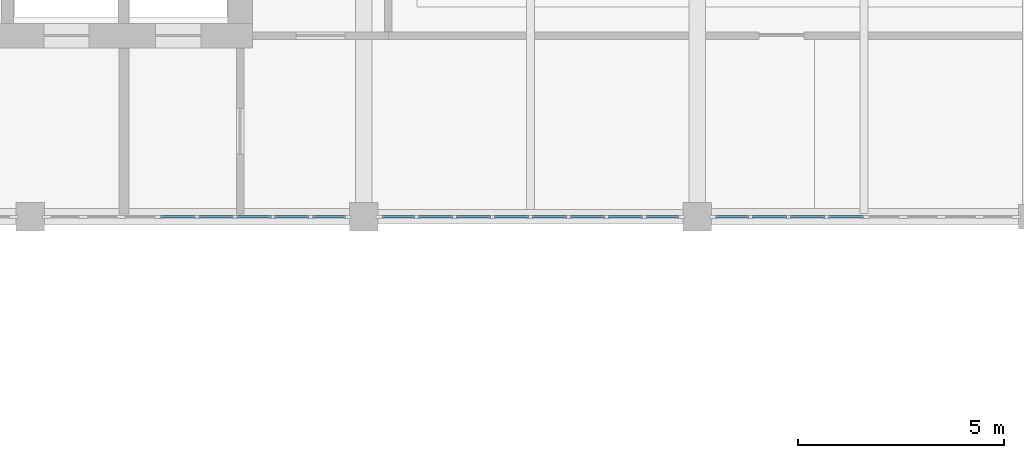
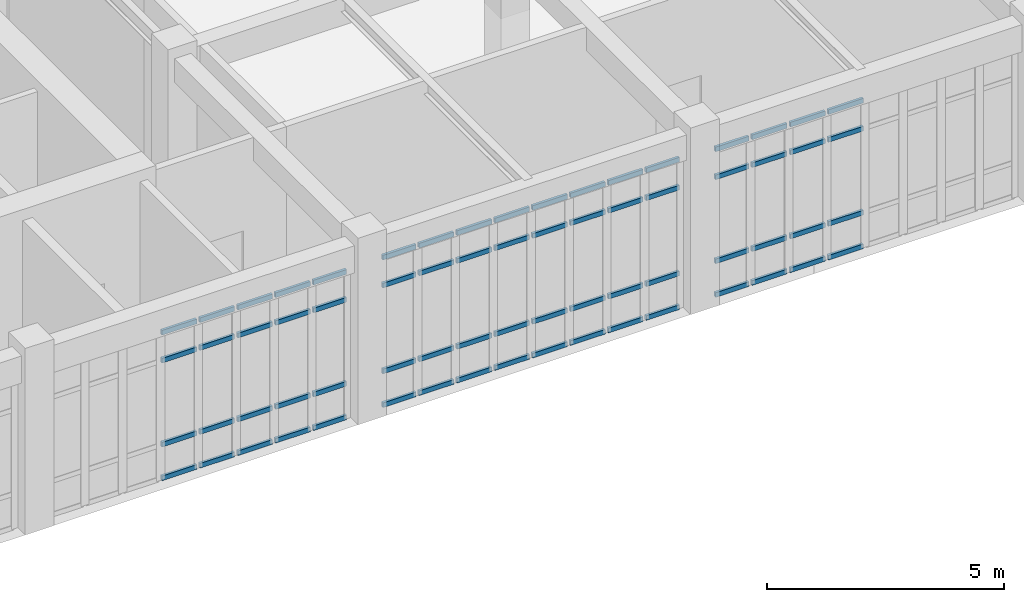
# One storey, part 25 of 61: 68 members, 3 elements without a shape of their own.
"""IFC4 building model written with IfcOpenShell, lengths in metres."""

from ifc_helpers import new_model, si_unit, direction, frame, origin, origin_2d, place, context, subcontext, project, spatial, rectangle, extrude, material, material_profile, profile_set, type_object, element, aggregate, save


model = new_model("IFC4")

# Units and contexts
model_context = context("Model", 3, precision=1e-05, world=origin(), true_north=direction((0.0, 1.0)))
body_context = subcontext(model_context, "Body", "Model", "MODEL_VIEW")
ifc_project = project(units=[si_unit("LENGTHUNIT", "METRE"), si_unit("AREAUNIT", "SQUARE_METRE"), si_unit("VOLUMEUNIT", "CUBIC_METRE"), si_unit("PLANEANGLEUNIT", "RADIAN"), si_unit("MASSUNIT", "GRAM", prefix="KILO")], contexts=[model_context])

# Site, building, storey
site_placement = place(None, origin())
site = spatial("IfcSite", under=ifc_project, at=site_placement, CompositionType="ELEMENT")
building_placement = place(site_placement, origin())
building = spatial("IfcBuilding", under=site, at=building_placement, Name="Tarnveldt Square Police Headquarters", CompositionType="ELEMENT")
storey_placement = place(building_placement, frame((0.0, 0.0, 5.39990234375)))
storey = spatial("IfcBuildingStorey", under=building, at=storey_placement, Name="L01", CompositionType="ELEMENT", Elevation=5.39990234375)

# Curtain wall, members
ifc_material_1 = material(Name="Triple-glazed low-e laminated vision glass", Category="glass")
curtain_wall_type_1 = type_object("IfcCurtainWallType", Name="CW-LB-737x381", PredefinedType="USERDEFINED", material=ifc_material_1)
curtain_wall_1_placement = place(storey_placement, origin())
curtain_wall_1 = element("IfcCurtainWall", 1, at=curtain_wall_1_placement, inside=storey, type_object=curtain_wall_type_1, Name="L01 Curtain Wall CW-L01-106", ObjectType="GLAZED CURTAIN WALL", PredefinedType="USERDEFINED")
ifc_material_2 = material(Name="Thermally broken anodised aluminium 6063-T6", Category="aluminium")
ifc_material_profile = material_profile(ifc_material_2, rectangle(XDim=0.06494140625, YDim=0.1201171875, at=origin_2d()), Name="CW-T65x120")
ifc_profile_set = profile_set([ifc_material_profile], Name="Thermally broken anodised aluminium 6063-T6")
member_type = type_object("IfcMemberType", Name="CWT-65x120", PredefinedType="USERDEFINED", material=ifc_profile_set)
member_1_placement = place(storey_placement, frame((59.8662109375, 96.0, 0.03271484375), z_axis=(1.0, 0.0, 0.0), x_axis=(0.0, 1.0, 0.0)))
member_1 = element("IfcMember", 2, at=member_1_placement, type_object=member_type, Name="CW-LB60 transom 4.1", ObjectType="TRANSOM", PredefinedType="USERDEFINED", context=body_context, shape_type="SweptSolid", body=[
    extrude(rectangle(XDim=0.06494140625, YDim=0.1201171875, at=origin_2d()), origin(), (0.0, 0.0, 1.0), 0.84619140625),
])
member_2_placement = place(storey_placement, frame((59.8662109375, 96.0, 0.900146484375), z_axis=(1.0, 0.0, 0.0), x_axis=(0.0, 1.0, 0.0)))
member_2 = element("IfcMember", 3, at=member_2_placement, type_object=member_type, Name="CW-LB60 transom 4.2", ObjectType="TRANSOM", PredefinedType="USERDEFINED", context=body_context, shape_type="SweptSolid", body=[
    extrude(rectangle(XDim=0.06494140625, YDim=0.1201171875, at=origin_2d()), origin(), (0.0, 0.0, 1.0), 0.84619140625),
])
member_3_placement = place(storey_placement, frame((59.8662109375, 96.0, 3.06201171875), z_axis=(1.0, 0.0, 0.0), x_axis=(0.0, 1.0, 0.0)))
member_3 = element("IfcMember", 4, at=member_3_placement, type_object=member_type, Name="CW-LB60 transom 4.3", ObjectType="TRANSOM", PredefinedType="USERDEFINED", context=body_context, shape_type="SweptSolid", body=[
    extrude(rectangle(XDim=0.06494140625, YDim=0.1201171875, at=origin_2d()), origin(), (0.0, 0.0, 1.0), 0.84619140625),
])
member_4_placement = place(storey_placement, frame((59.8662109375, 96.0, 3.779541015625), z_axis=(1.0, 0.0, 0.0), x_axis=(0.0, 1.0, 0.0)))
member_4 = element("IfcMember", 5, at=member_4_placement, type_object=member_type, Name="CW-LB60 transom 4.4", ObjectType="TRANSOM", PredefinedType="USERDEFINED", context=body_context, shape_type="SweptSolid", body=[
    extrude(rectangle(XDim=0.06494140625, YDim=0.1201171875, at=origin_2d()), origin(), (0.0, 0.0, 1.0), 0.84619140625),
])
member_5_placement = place(storey_placement, frame((60.78759765625, 96.0, 0.03271484375), z_axis=(1.0, 0.0, 0.0), x_axis=(0.0, 1.0, 0.0)))
member_5 = element("IfcMember", 6, at=member_5_placement, type_object=member_type, Name="CW-LB60 transom 5.1", ObjectType="TRANSOM", PredefinedType="USERDEFINED", context=body_context, shape_type="SweptSolid", body=[
    extrude(rectangle(XDim=0.06494140625, YDim=0.1201171875, at=origin_2d()), origin(), (0.0, 0.0, 1.0), 0.84619140625),
])
member_6_placement = place(storey_placement, frame((60.78759765625, 96.0, 0.900146484375), z_axis=(1.0, 0.0, 0.0), x_axis=(0.0, 1.0, 0.0)))
member_6 = element("IfcMember", 7, at=member_6_placement, type_object=member_type, Name="CW-LB60 transom 5.2", ObjectType="TRANSOM", PredefinedType="USERDEFINED", context=body_context, shape_type="SweptSolid", body=[
    extrude(rectangle(XDim=0.06494140625, YDim=0.1201171875, at=origin_2d()), origin(), (0.0, 0.0, 1.0), 0.84619140625),
])
member_7_placement = place(storey_placement, frame((60.78759765625, 96.0, 3.06201171875), z_axis=(1.0, 0.0, 0.0), x_axis=(0.0, 1.0, 0.0)))
member_7 = element("IfcMember", 8, at=member_7_placement, type_object=member_type, Name="CW-LB60 transom 5.3", ObjectType="TRANSOM", PredefinedType="USERDEFINED", context=body_context, shape_type="SweptSolid", body=[
    extrude(rectangle(XDim=0.06494140625, YDim=0.1201171875, at=origin_2d()), origin(), (0.0, 0.0, 1.0), 0.84619140625),
])
member_8_placement = place(storey_placement, frame((60.78759765625, 96.0, 3.779541015625), z_axis=(1.0, 0.0, 0.0), x_axis=(0.0, 1.0, 0.0)))
member_8 = element("IfcMember", 9, at=member_8_placement, type_object=member_type, Name="CW-LB60 transom 5.4", ObjectType="TRANSOM", PredefinedType="USERDEFINED", context=body_context, shape_type="SweptSolid", body=[
    extrude(rectangle(XDim=0.06494140625, YDim=0.1201171875, at=origin_2d()), origin(), (0.0, 0.0, 1.0), 0.84619140625),
])
member_9_placement = place(storey_placement, frame((61.708740234375, 96.0, 0.03271484375), z_axis=(1.0, 0.0, 0.0), x_axis=(0.0, 1.0, 0.0)))
member_9 = element("IfcMember", 10, at=member_9_placement, type_object=member_type, Name="CW-LB60 transom 6.1", ObjectType="TRANSOM", PredefinedType="USERDEFINED", context=body_context, shape_type="SweptSolid", body=[
    extrude(rectangle(XDim=0.06494140625, YDim=0.1201171875, at=origin_2d()), origin(), (0.0, 0.0, 1.0), 0.84619140625),
])
member_10_placement = place(storey_placement, frame((61.708740234375, 96.0, 0.900146484375), z_axis=(1.0, 0.0, 0.0), x_axis=(0.0, 1.0, 0.0)))
member_10 = element("IfcMember", 11, at=member_10_placement, type_object=member_type, Name="CW-LB60 transom 6.2", ObjectType="TRANSOM", PredefinedType="USERDEFINED", context=body_context, shape_type="SweptSolid", body=[
    extrude(rectangle(XDim=0.06494140625, YDim=0.1201171875, at=origin_2d()), origin(), (0.0, 0.0, 1.0), 0.84619140625),
])
member_11_placement = place(storey_placement, frame((61.708740234375, 96.0, 3.06201171875), z_axis=(1.0, 0.0, 0.0), x_axis=(0.0, 1.0, 0.0)))
member_11 = element("IfcMember", 12, at=member_11_placement, type_object=member_type, Name="CW-LB60 transom 6.3", ObjectType="TRANSOM", PredefinedType="USERDEFINED", context=body_context, shape_type="SweptSolid", body=[
    extrude(rectangle(XDim=0.06494140625, YDim=0.1201171875, at=origin_2d()), origin(), (0.0, 0.0, 1.0), 0.84619140625),
])
member_12_placement = place(storey_placement, frame((61.708740234375, 96.0, 3.779541015625), z_axis=(1.0, 0.0, 0.0), x_axis=(0.0, 1.0, 0.0)))
member_12 = element("IfcMember", 13, at=member_12_placement, type_object=member_type, Name="CW-LB60 transom 6.4", ObjectType="TRANSOM", PredefinedType="USERDEFINED", context=body_context, shape_type="SweptSolid", body=[
    extrude(rectangle(XDim=0.06494140625, YDim=0.1201171875, at=origin_2d()), origin(), (0.0, 0.0, 1.0), 0.84619140625),
])
member_13_placement = place(storey_placement, frame((62.6298828125, 96.0, 0.03271484375), z_axis=(1.0, 0.0, 0.0), x_axis=(0.0, 1.0, 0.0)))
member_13 = element("IfcMember", 14, at=member_13_placement, type_object=member_type, Name="CW-LB60 transom 7.1", ObjectType="TRANSOM", PredefinedType="USERDEFINED", context=body_context, shape_type="SweptSolid", body=[
    extrude(rectangle(XDim=0.06494140625, YDim=0.1201171875, at=origin_2d()), origin(), (0.0, 0.0, 1.0), 0.846435546875),
])
member_14_placement = place(storey_placement, frame((62.6298828125, 96.0, 0.900146484375), z_axis=(1.0, 0.0, 0.0), x_axis=(0.0, 1.0, 0.0)))
member_14 = element("IfcMember", 15, at=member_14_placement, type_object=member_type, Name="CW-LB60 transom 7.2", ObjectType="TRANSOM", PredefinedType="USERDEFINED", context=body_context, shape_type="SweptSolid", body=[
    extrude(rectangle(XDim=0.06494140625, YDim=0.1201171875, at=origin_2d()), origin(), (0.0, 0.0, 1.0), 0.846435546875),
])
member_15_placement = place(storey_placement, frame((62.6298828125, 96.0, 3.06201171875), z_axis=(1.0, 0.0, 0.0), x_axis=(0.0, 1.0, 0.0)))
member_15 = element("IfcMember", 16, at=member_15_placement, type_object=member_type, Name="CW-LB60 transom 7.3", ObjectType="TRANSOM", PredefinedType="USERDEFINED", context=body_context, shape_type="SweptSolid", body=[
    extrude(rectangle(XDim=0.06494140625, YDim=0.1201171875, at=origin_2d()), origin(), (0.0, 0.0, 1.0), 0.846435546875),
])
member_16_placement = place(storey_placement, frame((62.6298828125, 96.0, 3.779541015625), z_axis=(1.0, 0.0, 0.0), x_axis=(0.0, 1.0, 0.0)))
member_16 = element("IfcMember", 17, at=member_16_placement, type_object=member_type, Name="CW-LB60 transom 7.4", ObjectType="TRANSOM", PredefinedType="USERDEFINED", context=body_context, shape_type="SweptSolid", body=[
    extrude(rectangle(XDim=0.06494140625, YDim=0.1201171875, at=origin_2d()), origin(), (0.0, 0.0, 1.0), 0.846435546875),
])
member_17_placement = place(storey_placement, frame((63.55126953125, 96.0, 0.03271484375), z_axis=(1.0, 0.0, 0.0), x_axis=(0.0, 1.0, 0.0)))
member_17 = element("IfcMember", 18, at=member_17_placement, type_object=member_type, Name="CW-LB60 transom 8.1", ObjectType="TRANSOM", PredefinedType="USERDEFINED", context=body_context, shape_type="SweptSolid", body=[
    extrude(rectangle(XDim=0.06494140625, YDim=0.1201171875, at=origin_2d()), origin(), (0.0, 0.0, 1.0), 0.808837890625),
])
member_18_placement = place(storey_placement, frame((63.55126953125, 96.0, 0.900146484375), z_axis=(1.0, 0.0, 0.0), x_axis=(0.0, 1.0, 0.0)))
member_18 = element("IfcMember", 19, at=member_18_placement, type_object=member_type, Name="CW-LB60 transom 8.2", ObjectType="TRANSOM", PredefinedType="USERDEFINED", context=body_context, shape_type="SweptSolid", body=[
    extrude(rectangle(XDim=0.06494140625, YDim=0.1201171875, at=origin_2d()), origin(), (0.0, 0.0, 1.0), 0.808837890625),
])
member_19_placement = place(storey_placement, frame((63.55126953125, 96.0, 3.06201171875), z_axis=(1.0, 0.0, 0.0), x_axis=(0.0, 1.0, 0.0)))
member_19 = element("IfcMember", 20, at=member_19_placement, type_object=member_type, Name="CW-LB60 transom 8.3", ObjectType="TRANSOM", PredefinedType="USERDEFINED", context=body_context, shape_type="SweptSolid", body=[
    extrude(rectangle(XDim=0.06494140625, YDim=0.1201171875, at=origin_2d()), origin(), (0.0, 0.0, 1.0), 0.808837890625),
])
member_20_placement = place(storey_placement, frame((63.55126953125, 96.0, 3.779541015625), z_axis=(1.0, 0.0, 0.0), x_axis=(0.0, 1.0, 0.0)))
member_20 = element("IfcMember", 21, at=member_20_placement, type_object=member_type, Name="CW-LB60 transom 8.4", ObjectType="TRANSOM", PredefinedType="USERDEFINED", context=body_context, shape_type="SweptSolid", body=[
    extrude(rectangle(XDim=0.06494140625, YDim=0.1201171875, at=origin_2d()), origin(), (0.0, 0.0, 1.0), 0.808837890625),
])
aggregate(curtain_wall_1, [member_1, member_2, member_3, member_4, member_5, member_6, member_7, member_8, member_9, member_10, member_11, member_12, member_13, member_14, member_15, member_16, member_17, member_18, member_19, member_20])

curtain_wall_type_2 = type_object("IfcCurtainWallType", Name="CW-LB-737x386", PredefinedType="USERDEFINED", material=ifc_material_1)
curtain_wall_2_placement = place(storey_placement, origin())
curtain_wall_2 = element("IfcCurtainWall", 22, at=curtain_wall_2_placement, inside=storey, type_object=curtain_wall_type_2, Name="L01 Curtain Wall CW-L01-107", ObjectType="GLAZED CURTAIN WALL", PredefinedType="USERDEFINED")
member_21_placement = place(storey_placement, frame((65.239990234375, 96.0, 0.03271484375), z_axis=(1.0, 0.0, 0.0), x_axis=(0.0, 1.0, 0.0)))
member_21 = element("IfcMember", 23, at=member_21_placement, type_object=member_type, Name="CW-LB61 transom 1.1", ObjectType="TRANSOM", PredefinedType="USERDEFINED", context=body_context, shape_type="SweptSolid", body=[
    extrude(rectangle(XDim=0.06494140625, YDim=0.1201171875, at=origin_2d()), origin(), (0.0, 0.0, 1.0), 0.808837890625),
])
member_22_placement = place(storey_placement, frame((65.239990234375, 96.0, 0.900146484375), z_axis=(1.0, 0.0, 0.0), x_axis=(0.0, 1.0, 0.0)))
member_22 = element("IfcMember", 24, at=member_22_placement, type_object=member_type, Name="CW-LB61 transom 1.2", ObjectType="TRANSOM", PredefinedType="USERDEFINED", context=body_context, shape_type="SweptSolid", body=[
    extrude(rectangle(XDim=0.06494140625, YDim=0.1201171875, at=origin_2d()), origin(), (0.0, 0.0, 1.0), 0.808837890625),
])
member_23_placement = place(storey_placement, frame((65.239990234375, 96.0, 3.112060546875), z_axis=(1.0, 0.0, 0.0), x_axis=(0.0, 1.0, 0.0)))
member_23 = element("IfcMember", 25, at=member_23_placement, type_object=member_type, Name="CW-LB61 transom 1.3", ObjectType="TRANSOM", PredefinedType="USERDEFINED", context=body_context, shape_type="SweptSolid", body=[
    extrude(rectangle(XDim=0.06494140625, YDim=0.1201171875, at=origin_2d()), origin(), (0.0, 0.0, 1.0), 0.808837890625),
])
member_24_placement = place(storey_placement, frame((65.239990234375, 96.0, 3.82958984375), z_axis=(1.0, 0.0, 0.0), x_axis=(0.0, 1.0, 0.0)))
member_24 = element("IfcMember", 26, at=member_24_placement, type_object=member_type, Name="CW-LB61 transom 1.4", ObjectType="TRANSOM", PredefinedType="USERDEFINED", context=body_context, shape_type="SweptSolid", body=[
    extrude(rectangle(XDim=0.06494140625, YDim=0.1201171875, at=origin_2d()), origin(), (0.0, 0.0, 1.0), 0.808837890625),
])
member_25_placement = place(storey_placement, frame((66.123779296875, 96.0, 0.03271484375), z_axis=(1.0, 0.0, 0.0), x_axis=(0.0, 1.0, 0.0)))
member_25 = element("IfcMember", 27, at=member_25_placement, type_object=member_type, Name="CW-LB61 transom 2.1", ObjectType="TRANSOM", PredefinedType="USERDEFINED", context=body_context, shape_type="SweptSolid", body=[
    extrude(rectangle(XDim=0.06494140625, YDim=0.1201171875, at=origin_2d()), origin(), (0.0, 0.0, 1.0), 0.84619140625),
])
member_26_placement = place(storey_placement, frame((66.123779296875, 96.0, 0.900146484375), z_axis=(1.0, 0.0, 0.0), x_axis=(0.0, 1.0, 0.0)))
member_26 = element("IfcMember", 28, at=member_26_placement, type_object=member_type, Name="CW-LB61 transom 2.2", ObjectType="TRANSOM", PredefinedType="USERDEFINED", context=body_context, shape_type="SweptSolid", body=[
    extrude(rectangle(XDim=0.06494140625, YDim=0.1201171875, at=origin_2d()), origin(), (0.0, 0.0, 1.0), 0.84619140625),
])
member_27_placement = place(storey_placement, frame((66.123779296875, 96.0, 3.112060546875), z_axis=(1.0, 0.0, 0.0), x_axis=(0.0, 1.0, 0.0)))
member_27 = element("IfcMember", 29, at=member_27_placement, type_object=member_type, Name="CW-LB61 transom 2.3", ObjectType="TRANSOM", PredefinedType="USERDEFINED", context=body_context, shape_type="SweptSolid", body=[
    extrude(rectangle(XDim=0.06494140625, YDim=0.1201171875, at=origin_2d()), origin(), (0.0, 0.0, 1.0), 0.84619140625),
])
member_28_placement = place(storey_placement, frame((66.123779296875, 96.0, 3.82958984375), z_axis=(1.0, 0.0, 0.0), x_axis=(0.0, 1.0, 0.0)))
member_28 = element("IfcMember", 30, at=member_28_placement, type_object=member_type, Name="CW-LB61 transom 2.4", ObjectType="TRANSOM", PredefinedType="USERDEFINED", context=body_context, shape_type="SweptSolid", body=[
    extrude(rectangle(XDim=0.06494140625, YDim=0.1201171875, at=origin_2d()), origin(), (0.0, 0.0, 1.0), 0.84619140625),
])
member_29_placement = place(storey_placement, frame((67.044921875, 96.0, 0.03271484375), z_axis=(1.0, 0.0, 0.0), x_axis=(0.0, 1.0, 0.0)))
member_29 = element("IfcMember", 31, at=member_29_placement, type_object=member_type, Name="CW-LB61 transom 3.1", ObjectType="TRANSOM", PredefinedType="USERDEFINED", context=body_context, shape_type="SweptSolid", body=[
    extrude(rectangle(XDim=0.06494140625, YDim=0.1201171875, at=origin_2d()), origin(), (0.0, 0.0, 1.0), 0.846435546875),
])
member_30_placement = place(storey_placement, frame((67.044921875, 96.0, 0.900146484375), z_axis=(1.0, 0.0, 0.0), x_axis=(0.0, 1.0, 0.0)))
member_30 = element("IfcMember", 32, at=member_30_placement, type_object=member_type, Name="CW-LB61 transom 3.2", ObjectType="TRANSOM", PredefinedType="USERDEFINED", context=body_context, shape_type="SweptSolid", body=[
    extrude(rectangle(XDim=0.06494140625, YDim=0.1201171875, at=origin_2d()), origin(), (0.0, 0.0, 1.0), 0.846435546875),
])
member_31_placement = place(storey_placement, frame((67.044921875, 96.0, 3.112060546875), z_axis=(1.0, 0.0, 0.0), x_axis=(0.0, 1.0, 0.0)))
member_31 = element("IfcMember", 33, at=member_31_placement, type_object=member_type, Name="CW-LB61 transom 3.3", ObjectType="TRANSOM", PredefinedType="USERDEFINED", context=body_context, shape_type="SweptSolid", body=[
    extrude(rectangle(XDim=0.06494140625, YDim=0.1201171875, at=origin_2d()), origin(), (0.0, 0.0, 1.0), 0.846435546875),
])
member_32_placement = place(storey_placement, frame((67.044921875, 96.0, 3.82958984375), z_axis=(1.0, 0.0, 0.0), x_axis=(0.0, 1.0, 0.0)))
member_32 = element("IfcMember", 34, at=member_32_placement, type_object=member_type, Name="CW-LB61 transom 3.4", ObjectType="TRANSOM", PredefinedType="USERDEFINED", context=body_context, shape_type="SweptSolid", body=[
    extrude(rectangle(XDim=0.06494140625, YDim=0.1201171875, at=origin_2d()), origin(), (0.0, 0.0, 1.0), 0.846435546875),
])
member_33_placement = place(storey_placement, frame((67.96630859375, 96.0, 0.03271484375), z_axis=(1.0, 0.0, 0.0), x_axis=(0.0, 1.0, 0.0)))
member_33 = element("IfcMember", 35, at=member_33_placement, type_object=member_type, Name="CW-LB61 transom 4.1", ObjectType="TRANSOM", PredefinedType="USERDEFINED", context=body_context, shape_type="SweptSolid", body=[
    extrude(rectangle(XDim=0.06494140625, YDim=0.1201171875, at=origin_2d()), origin(), (0.0, 0.0, 1.0), 0.84619140625),
])
member_34_placement = place(storey_placement, frame((67.96630859375, 96.0, 0.900146484375), z_axis=(1.0, 0.0, 0.0), x_axis=(0.0, 1.0, 0.0)))
member_34 = element("IfcMember", 36, at=member_34_placement, type_object=member_type, Name="CW-LB61 transom 4.2", ObjectType="TRANSOM", PredefinedType="USERDEFINED", context=body_context, shape_type="SweptSolid", body=[
    extrude(rectangle(XDim=0.06494140625, YDim=0.1201171875, at=origin_2d()), origin(), (0.0, 0.0, 1.0), 0.84619140625),
])
member_35_placement = place(storey_placement, frame((67.96630859375, 96.0, 3.112060546875), z_axis=(1.0, 0.0, 0.0), x_axis=(0.0, 1.0, 0.0)))
member_35 = element("IfcMember", 37, at=member_35_placement, type_object=member_type, Name="CW-LB61 transom 4.3", ObjectType="TRANSOM", PredefinedType="USERDEFINED", context=body_context, shape_type="SweptSolid", body=[
    extrude(rectangle(XDim=0.06494140625, YDim=0.1201171875, at=origin_2d()), origin(), (0.0, 0.0, 1.0), 0.84619140625),
])
member_36_placement = place(storey_placement, frame((67.96630859375, 96.0, 3.82958984375), z_axis=(1.0, 0.0, 0.0), x_axis=(0.0, 1.0, 0.0)))
member_36 = element("IfcMember", 38, at=member_36_placement, type_object=member_type, Name="CW-LB61 transom 4.4", ObjectType="TRANSOM", PredefinedType="USERDEFINED", context=body_context, shape_type="SweptSolid", body=[
    extrude(rectangle(XDim=0.06494140625, YDim=0.1201171875, at=origin_2d()), origin(), (0.0, 0.0, 1.0), 0.84619140625),
])
member_37_placement = place(storey_placement, frame((68.887451171875, 96.0, 0.03271484375), z_axis=(1.0, 0.0, 0.0), x_axis=(0.0, 1.0, 0.0)))
member_37 = element("IfcMember", 39, at=member_37_placement, type_object=member_type, Name="CW-LB61 transom 5.1", ObjectType="TRANSOM", PredefinedType="USERDEFINED", context=body_context, shape_type="SweptSolid", body=[
    extrude(rectangle(XDim=0.06494140625, YDim=0.1201171875, at=origin_2d()), origin(), (0.0, 0.0, 1.0), 0.84619140625),
])
member_38_placement = place(storey_placement, frame((68.887451171875, 96.0, 0.900146484375), z_axis=(1.0, 0.0, 0.0), x_axis=(0.0, 1.0, 0.0)))
member_38 = element("IfcMember", 40, at=member_38_placement, type_object=member_type, Name="CW-LB61 transom 5.2", ObjectType="TRANSOM", PredefinedType="USERDEFINED", context=body_context, shape_type="SweptSolid", body=[
    extrude(rectangle(XDim=0.06494140625, YDim=0.1201171875, at=origin_2d()), origin(), (0.0, 0.0, 1.0), 0.84619140625),
])
member_39_placement = place(storey_placement, frame((68.887451171875, 96.0, 3.112060546875), z_axis=(1.0, 0.0, 0.0), x_axis=(0.0, 1.0, 0.0)))
member_39 = element("IfcMember", 41, at=member_39_placement, type_object=member_type, Name="CW-LB61 transom 5.3", ObjectType="TRANSOM", PredefinedType="USERDEFINED", context=body_context, shape_type="SweptSolid", body=[
    extrude(rectangle(XDim=0.06494140625, YDim=0.1201171875, at=origin_2d()), origin(), (0.0, 0.0, 1.0), 0.84619140625),
])
member_40_placement = place(storey_placement, frame((68.887451171875, 96.0, 3.82958984375), z_axis=(1.0, 0.0, 0.0), x_axis=(0.0, 1.0, 0.0)))
member_40 = element("IfcMember", 42, at=member_40_placement, type_object=member_type, Name="CW-LB61 transom 5.4", ObjectType="TRANSOM", PredefinedType="USERDEFINED", context=body_context, shape_type="SweptSolid", body=[
    extrude(rectangle(XDim=0.06494140625, YDim=0.1201171875, at=origin_2d()), origin(), (0.0, 0.0, 1.0), 0.84619140625),
])
member_41_placement = place(storey_placement, frame((69.808837890625, 96.0, 0.03271484375), z_axis=(1.0, 0.0, 0.0), x_axis=(0.0, 1.0, 0.0)))
member_41 = element("IfcMember", 43, at=member_41_placement, type_object=member_type, Name="CW-LB61 transom 6.1", ObjectType="TRANSOM", PredefinedType="USERDEFINED", context=body_context, shape_type="SweptSolid", body=[
    extrude(rectangle(XDim=0.06494140625, YDim=0.1201171875, at=origin_2d()), origin(), (0.0, 0.0, 1.0), 0.84619140625),
])
member_42_placement = place(storey_placement, frame((69.808837890625, 96.0, 0.900146484375), z_axis=(1.0, 0.0, 0.0), x_axis=(0.0, 1.0, 0.0)))
member_42 = element("IfcMember", 44, at=member_42_placement, type_object=member_type, Name="CW-LB61 transom 6.2", ObjectType="TRANSOM", PredefinedType="USERDEFINED", context=body_context, shape_type="SweptSolid", body=[
    extrude(rectangle(XDim=0.06494140625, YDim=0.1201171875, at=origin_2d()), origin(), (0.0, 0.0, 1.0), 0.84619140625),
])
member_43_placement = place(storey_placement, frame((69.808837890625, 96.0, 3.112060546875), z_axis=(1.0, 0.0, 0.0), x_axis=(0.0, 1.0, 0.0)))
member_43 = element("IfcMember", 45, at=member_43_placement, type_object=member_type, Name="CW-LB61 transom 6.3", ObjectType="TRANSOM", PredefinedType="USERDEFINED", context=body_context, shape_type="SweptSolid", body=[
    extrude(rectangle(XDim=0.06494140625, YDim=0.1201171875, at=origin_2d()), origin(), (0.0, 0.0, 1.0), 0.84619140625),
])
member_44_placement = place(storey_placement, frame((69.808837890625, 96.0, 3.82958984375), z_axis=(1.0, 0.0, 0.0), x_axis=(0.0, 1.0, 0.0)))
member_44 = element("IfcMember", 46, at=member_44_placement, type_object=member_type, Name="CW-LB61 transom 6.4", ObjectType="TRANSOM", PredefinedType="USERDEFINED", context=body_context, shape_type="SweptSolid", body=[
    extrude(rectangle(XDim=0.06494140625, YDim=0.1201171875, at=origin_2d()), origin(), (0.0, 0.0, 1.0), 0.84619140625),
])
member_45_placement = place(storey_placement, frame((70.72998046875, 96.0, 0.03271484375), z_axis=(1.0, 0.0, 0.0), x_axis=(0.0, 1.0, 0.0)))
member_45 = element("IfcMember", 47, at=member_45_placement, type_object=member_type, Name="CW-LB61 transom 7.1", ObjectType="TRANSOM", PredefinedType="USERDEFINED", context=body_context, shape_type="SweptSolid", body=[
    extrude(rectangle(XDim=0.06494140625, YDim=0.1201171875, at=origin_2d()), origin(), (0.0, 0.0, 1.0), 0.84619140625),
])
member_46_placement = place(storey_placement, frame((70.72998046875, 96.0, 0.900146484375), z_axis=(1.0, 0.0, 0.0), x_axis=(0.0, 1.0, 0.0)))
member_46 = element("IfcMember", 48, at=member_46_placement, type_object=member_type, Name="CW-LB61 transom 7.2", ObjectType="TRANSOM", PredefinedType="USERDEFINED", context=body_context, shape_type="SweptSolid", body=[
    extrude(rectangle(XDim=0.06494140625, YDim=0.1201171875, at=origin_2d()), origin(), (0.0, 0.0, 1.0), 0.84619140625),
])
member_47_placement = place(storey_placement, frame((70.72998046875, 96.0, 3.112060546875), z_axis=(1.0, 0.0, 0.0), x_axis=(0.0, 1.0, 0.0)))
member_47 = element("IfcMember", 49, at=member_47_placement, type_object=member_type, Name="CW-LB61 transom 7.3", ObjectType="TRANSOM", PredefinedType="USERDEFINED", context=body_context, shape_type="SweptSolid", body=[
    extrude(rectangle(XDim=0.06494140625, YDim=0.1201171875, at=origin_2d()), origin(), (0.0, 0.0, 1.0), 0.84619140625),
])
member_48_placement = place(storey_placement, frame((70.72998046875, 96.0, 3.82958984375), z_axis=(1.0, 0.0, 0.0), x_axis=(0.0, 1.0, 0.0)))
member_48 = element("IfcMember", 50, at=member_48_placement, type_object=member_type, Name="CW-LB61 transom 7.4", ObjectType="TRANSOM", PredefinedType="USERDEFINED", context=body_context, shape_type="SweptSolid", body=[
    extrude(rectangle(XDim=0.06494140625, YDim=0.1201171875, at=origin_2d()), origin(), (0.0, 0.0, 1.0), 0.84619140625),
])
member_49_placement = place(storey_placement, frame((71.6513671875, 96.0, 0.03271484375), z_axis=(1.0, 0.0, 0.0), x_axis=(0.0, 1.0, 0.0)))
member_49 = element("IfcMember", 51, at=member_49_placement, type_object=member_type, Name="CW-LB61 transom 8.1", ObjectType="TRANSOM", PredefinedType="USERDEFINED", context=body_context, shape_type="SweptSolid", body=[
    extrude(rectangle(XDim=0.06494140625, YDim=0.1201171875, at=origin_2d()), origin(), (0.0, 0.0, 1.0), 0.80859375),
])
member_50_placement = place(storey_placement, frame((71.6513671875, 96.0, 0.900146484375), z_axis=(1.0, 0.0, 0.0), x_axis=(0.0, 1.0, 0.0)))
member_50 = element("IfcMember", 52, at=member_50_placement, type_object=member_type, Name="CW-LB61 transom 8.2", ObjectType="TRANSOM", PredefinedType="USERDEFINED", context=body_context, shape_type="SweptSolid", body=[
    extrude(rectangle(XDim=0.06494140625, YDim=0.1201171875, at=origin_2d()), origin(), (0.0, 0.0, 1.0), 0.80859375),
])
member_51_placement = place(storey_placement, frame((71.6513671875, 96.0, 3.112060546875), z_axis=(1.0, 0.0, 0.0), x_axis=(0.0, 1.0, 0.0)))
member_51 = element("IfcMember", 53, at=member_51_placement, type_object=member_type, Name="CW-LB61 transom 8.3", ObjectType="TRANSOM", PredefinedType="USERDEFINED", context=body_context, shape_type="SweptSolid", body=[
    extrude(rectangle(XDim=0.06494140625, YDim=0.1201171875, at=origin_2d()), origin(), (0.0, 0.0, 1.0), 0.80859375),
])
member_52_placement = place(storey_placement, frame((71.6513671875, 96.0, 3.82958984375), z_axis=(1.0, 0.0, 0.0), x_axis=(0.0, 1.0, 0.0)))
member_52 = element("IfcMember", 54, at=member_52_placement, type_object=member_type, Name="CW-LB61 transom 8.4", ObjectType="TRANSOM", PredefinedType="USERDEFINED", context=body_context, shape_type="SweptSolid", body=[
    extrude(rectangle(XDim=0.06494140625, YDim=0.1201171875, at=origin_2d()), origin(), (0.0, 0.0, 1.0), 0.80859375),
])
aggregate(curtain_wall_2, [member_21, member_22, member_23, member_24, member_25, member_26, member_27, member_28, member_29, member_30, member_31, member_32, member_33, member_34, member_35, member_36, member_37, member_38, member_39, member_40, member_41, member_42, member_43, member_44, member_45, member_46, member_47, member_48, member_49, member_50, member_51, member_52])

curtain_wall_type_3 = type_object("IfcCurtainWallType", Name="CW-LB-742x381", PredefinedType="USERDEFINED", material=ifc_material_1)
curtain_wall_3_placement = place(storey_placement, origin())
curtain_wall_3 = element("IfcCurtainWall", 55, at=curtain_wall_3_placement, inside=storey, type_object=curtain_wall_type_3, Name="L01 Curtain Wall CW-L01-108", ObjectType="GLAZED CURTAIN WALL", PredefinedType="USERDEFINED")
member_53_placement = place(storey_placement, frame((73.340087890625, 96.0, 0.03271484375), z_axis=(1.0, 0.0, 0.0), x_axis=(0.0, 1.0, 0.0)))
member_53 = element("IfcMember", 56, at=member_53_placement, type_object=member_type, Name="CW-LB62 transom 1.1", ObjectType="TRANSOM", PredefinedType="USERDEFINED", context=body_context, shape_type="SweptSolid", body=[
    extrude(rectangle(XDim=0.06494140625, YDim=0.1201171875, at=origin_2d()), origin(), (0.0, 0.0, 1.0), 0.81494140625),
])
member_54_placement = place(storey_placement, frame((73.340087890625, 96.0, 0.900146484375), z_axis=(1.0, 0.0, 0.0), x_axis=(0.0, 1.0, 0.0)))
member_54 = element("IfcMember", 57, at=member_54_placement, type_object=member_type, Name="CW-LB62 transom 1.2", ObjectType="TRANSOM", PredefinedType="USERDEFINED", context=body_context, shape_type="SweptSolid", body=[
    extrude(rectangle(XDim=0.06494140625, YDim=0.1201171875, at=origin_2d()), origin(), (0.0, 0.0, 1.0), 0.81494140625),
])
member_55_placement = place(storey_placement, frame((73.340087890625, 96.0, 3.06201171875), z_axis=(1.0, 0.0, 0.0), x_axis=(0.0, 1.0, 0.0)))
member_55 = element("IfcMember", 58, at=member_55_placement, type_object=member_type, Name="CW-LB62 transom 1.3", ObjectType="TRANSOM", PredefinedType="USERDEFINED", context=body_context, shape_type="SweptSolid", body=[
    extrude(rectangle(XDim=0.06494140625, YDim=0.1201171875, at=origin_2d()), origin(), (0.0, 0.0, 1.0), 0.81494140625),
])
member_56_placement = place(storey_placement, frame((73.340087890625, 96.0, 3.779541015625), z_axis=(1.0, 0.0, 0.0), x_axis=(0.0, 1.0, 0.0)))
member_56 = element("IfcMember", 59, at=member_56_placement, type_object=member_type, Name="CW-LB62 transom 1.4", ObjectType="TRANSOM", PredefinedType="USERDEFINED", context=body_context, shape_type="SweptSolid", body=[
    extrude(rectangle(XDim=0.06494140625, YDim=0.1201171875, at=origin_2d()), origin(), (0.0, 0.0, 1.0), 0.81494140625),
])
member_57_placement = place(storey_placement, frame((74.22998046875, 96.0, 0.03271484375), z_axis=(1.0, 0.0, 0.0), x_axis=(0.0, 1.0, 0.0)))
member_57 = element("IfcMember", 60, at=member_57_placement, type_object=member_type, Name="CW-LB62 transom 2.1", ObjectType="TRANSOM", PredefinedType="USERDEFINED", context=body_context, shape_type="SweptSolid", body=[
    extrude(rectangle(XDim=0.06494140625, YDim=0.1201171875, at=origin_2d()), origin(), (0.0, 0.0, 1.0), 0.8525390625),
])
member_58_placement = place(storey_placement, frame((74.22998046875, 96.0, 0.900146484375), z_axis=(1.0, 0.0, 0.0), x_axis=(0.0, 1.0, 0.0)))
member_58 = element("IfcMember", 61, at=member_58_placement, type_object=member_type, Name="CW-LB62 transom 2.2", ObjectType="TRANSOM", PredefinedType="USERDEFINED", context=body_context, shape_type="SweptSolid", body=[
    extrude(rectangle(XDim=0.06494140625, YDim=0.1201171875, at=origin_2d()), origin(), (0.0, 0.0, 1.0), 0.8525390625),
])
member_59_placement = place(storey_placement, frame((74.22998046875, 96.0, 3.06201171875), z_axis=(1.0, 0.0, 0.0), x_axis=(0.0, 1.0, 0.0)))
member_59 = element("IfcMember", 62, at=member_59_placement, type_object=member_type, Name="CW-LB62 transom 2.3", ObjectType="TRANSOM", PredefinedType="USERDEFINED", context=body_context, shape_type="SweptSolid", body=[
    extrude(rectangle(XDim=0.06494140625, YDim=0.1201171875, at=origin_2d()), origin(), (0.0, 0.0, 1.0), 0.8525390625),
])
member_60_placement = place(storey_placement, frame((74.22998046875, 96.0, 3.779541015625), z_axis=(1.0, 0.0, 0.0), x_axis=(0.0, 1.0, 0.0)))
member_60 = element("IfcMember", 63, at=member_60_placement, type_object=member_type, Name="CW-LB62 transom 2.4", ObjectType="TRANSOM", PredefinedType="USERDEFINED", context=body_context, shape_type="SweptSolid", body=[
    extrude(rectangle(XDim=0.06494140625, YDim=0.1201171875, at=origin_2d()), origin(), (0.0, 0.0, 1.0), 0.8525390625),
])
member_61_placement = place(storey_placement, frame((75.157470703125, 96.0, 0.03271484375), z_axis=(1.0, 0.0, 0.0), x_axis=(0.0, 1.0, 0.0)))
member_61 = element("IfcMember", 64, at=member_61_placement, type_object=member_type, Name="CW-LB62 transom 3.1", ObjectType="TRANSOM", PredefinedType="USERDEFINED", context=body_context, shape_type="SweptSolid", body=[
    extrude(rectangle(XDim=0.06494140625, YDim=0.1201171875, at=origin_2d()), origin(), (0.0, 0.0, 1.0), 0.8525390625),
])
member_62_placement = place(storey_placement, frame((75.157470703125, 96.0, 0.900146484375), z_axis=(1.0, 0.0, 0.0), x_axis=(0.0, 1.0, 0.0)))
member_62 = element("IfcMember", 65, at=member_62_placement, type_object=member_type, Name="CW-LB62 transom 3.2", ObjectType="TRANSOM", PredefinedType="USERDEFINED", context=body_context, shape_type="SweptSolid", body=[
    extrude(rectangle(XDim=0.06494140625, YDim=0.1201171875, at=origin_2d()), origin(), (0.0, 0.0, 1.0), 0.8525390625),
])
member_63_placement = place(storey_placement, frame((75.157470703125, 96.0, 3.06201171875), z_axis=(1.0, 0.0, 0.0), x_axis=(0.0, 1.0, 0.0)))
member_63 = element("IfcMember", 66, at=member_63_placement, type_object=member_type, Name="CW-LB62 transom 3.3", ObjectType="TRANSOM", PredefinedType="USERDEFINED", context=body_context, shape_type="SweptSolid", body=[
    extrude(rectangle(XDim=0.06494140625, YDim=0.1201171875, at=origin_2d()), origin(), (0.0, 0.0, 1.0), 0.8525390625),
])
member_64_placement = place(storey_placement, frame((75.157470703125, 96.0, 3.779541015625), z_axis=(1.0, 0.0, 0.0), x_axis=(0.0, 1.0, 0.0)))
member_64 = element("IfcMember", 67, at=member_64_placement, type_object=member_type, Name="CW-LB62 transom 3.4", ObjectType="TRANSOM", PredefinedType="USERDEFINED", context=body_context, shape_type="SweptSolid", body=[
    extrude(rectangle(XDim=0.06494140625, YDim=0.1201171875, at=origin_2d()), origin(), (0.0, 0.0, 1.0), 0.8525390625),
])
member_65_placement = place(storey_placement, frame((76.0849609375, 96.0, 0.03271484375), z_axis=(1.0, 0.0, 0.0), x_axis=(0.0, 1.0, 0.0)))
member_65 = element("IfcMember", 68, at=member_65_placement, type_object=member_type, Name="CW-LB62 transom 4.1", ObjectType="TRANSOM", PredefinedType="USERDEFINED", context=body_context, shape_type="SweptSolid", body=[
    extrude(rectangle(XDim=0.06494140625, YDim=0.1201171875, at=origin_2d()), origin(), (0.0, 0.0, 1.0), 0.8525390625),
])
member_66_placement = place(storey_placement, frame((76.0849609375, 96.0, 0.900146484375), z_axis=(1.0, 0.0, 0.0), x_axis=(0.0, 1.0, 0.0)))
member_66 = element("IfcMember", 69, at=member_66_placement, type_object=member_type, Name="CW-LB62 transom 4.2", ObjectType="TRANSOM", PredefinedType="USERDEFINED", context=body_context, shape_type="SweptSolid", body=[
    extrude(rectangle(XDim=0.06494140625, YDim=0.1201171875, at=origin_2d()), origin(), (0.0, 0.0, 1.0), 0.8525390625),
])
member_67_placement = place(storey_placement, frame((76.0849609375, 96.0, 3.06201171875), z_axis=(1.0, 0.0, 0.0), x_axis=(0.0, 1.0, 0.0)))
member_67 = element("IfcMember", 70, at=member_67_placement, type_object=member_type, Name="CW-LB62 transom 4.3", ObjectType="TRANSOM", PredefinedType="USERDEFINED", context=body_context, shape_type="SweptSolid", body=[
    extrude(rectangle(XDim=0.06494140625, YDim=0.1201171875, at=origin_2d()), origin(), (0.0, 0.0, 1.0), 0.8525390625),
])
member_68_placement = place(storey_placement, frame((76.0849609375, 96.0, 3.779541015625), z_axis=(1.0, 0.0, 0.0), x_axis=(0.0, 1.0, 0.0)))
member_68 = element("IfcMember", 71, at=member_68_placement, type_object=member_type, Name="CW-LB62 transom 4.4", ObjectType="TRANSOM", PredefinedType="USERDEFINED", context=body_context, shape_type="SweptSolid", body=[
    extrude(rectangle(XDim=0.06494140625, YDim=0.1201171875, at=origin_2d()), origin(), (0.0, 0.0, 1.0), 0.8525390625),
])
aggregate(curtain_wall_3, [member_53, member_54, member_55, member_56, member_57, member_58, member_59, member_60, member_61, member_62, member_63, member_64, member_65, member_66, member_67, member_68])

save(model, "model.ifc")
